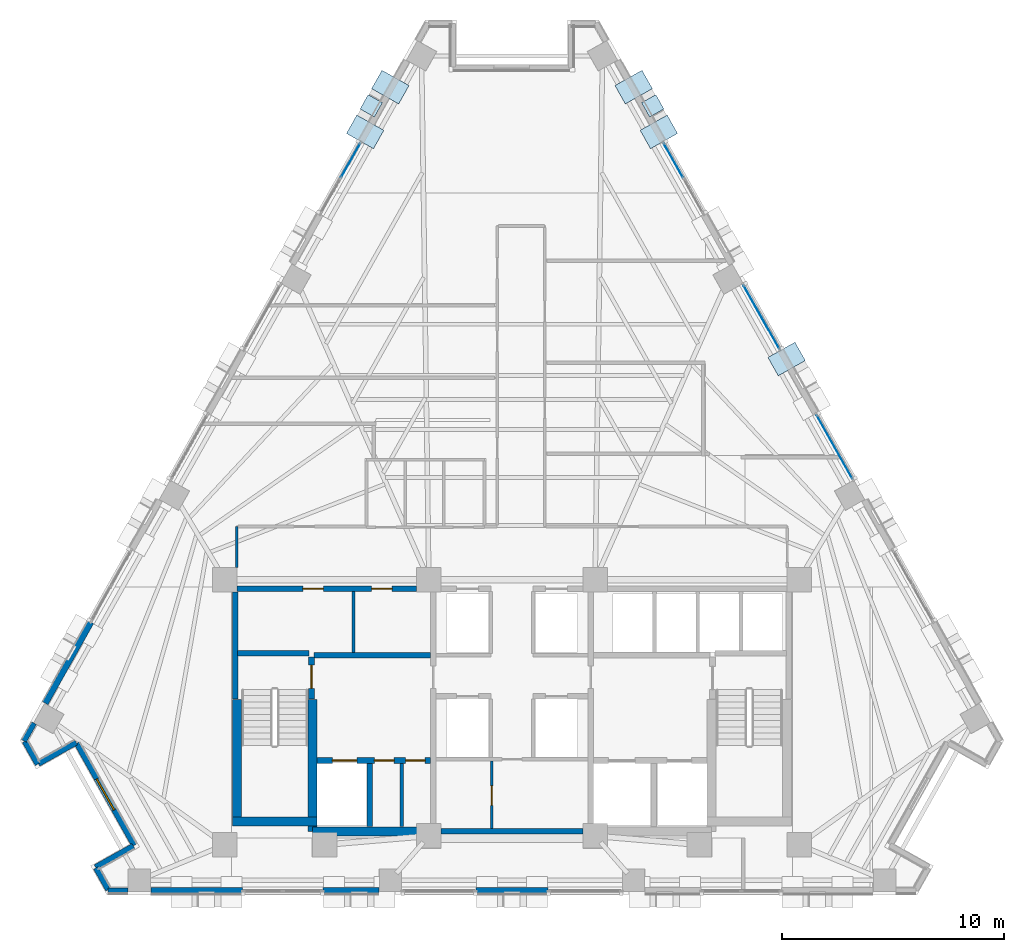
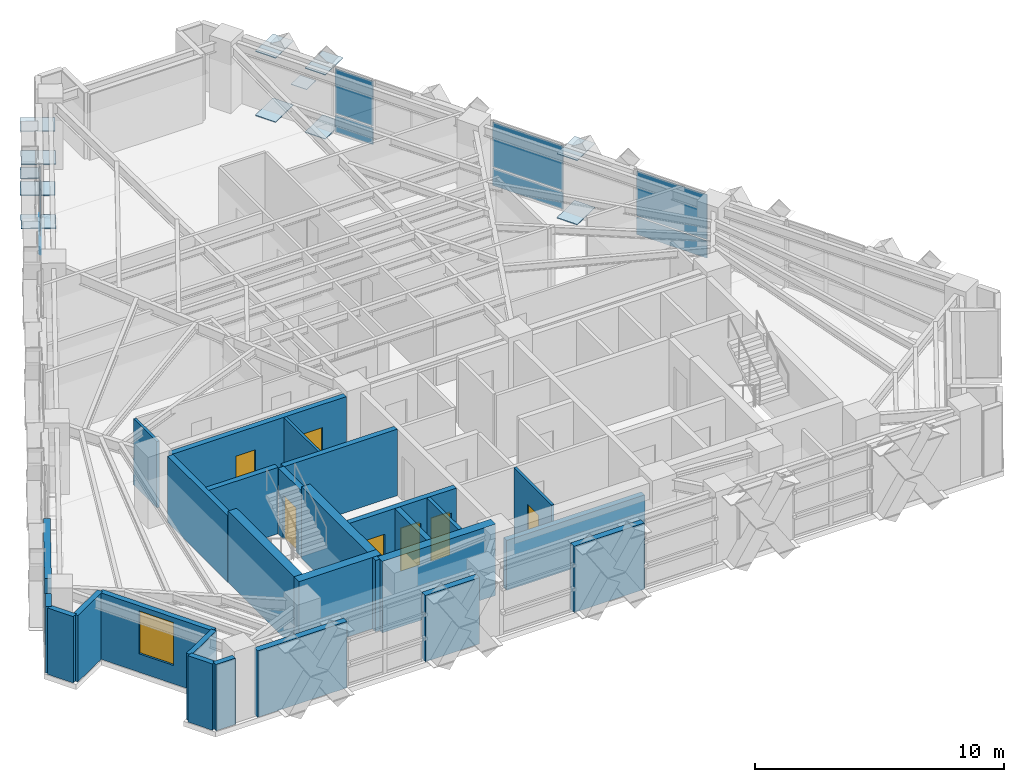
# One storey, part 7 of 14: 27 walls, 20 plates, 7 doors, 1 window, 8 openings, 4 elements without a shape of their own.
"""IFC4 building model written with IfcOpenShell, lengths in metres."""

from ifc_helpers import new_model, si_unit, direction, frame, frame_2d, origin, origin_2d, place, context, subcontext, project, spatial, rectangle, extrude, material, layer, layer_set, type_object, element, fill, aggregate, save


model = new_model("IFC4")

# Units and contexts
model_context = context("Model", 3, precision=1e-05, world=origin(), true_north=direction((0.0, 1.0)))
body_context = subcontext(model_context, "Body", "Model", "MODEL_VIEW")
ifc_project = project(units=[si_unit("LENGTHUNIT", "METRE"), si_unit("AREAUNIT", "SQUARE_METRE"), si_unit("VOLUMEUNIT", "CUBIC_METRE"), si_unit("PLANEANGLEUNIT", "RADIAN"), si_unit("MASSUNIT", "GRAM", prefix="KILO")], contexts=[model_context])

# Site, building, storey
site_placement = place(None, origin())
site = spatial("IfcSite", under=ifc_project, at=site_placement, CompositionType="ELEMENT")
building_placement = place(site_placement, origin())
building = spatial("IfcBuilding", under=site, at=building_placement, Name="Quenlor Broadcast Tower", CompositionType="ELEMENT")
storey_placement = place(building_placement, frame((0.0, 0.0, 133.5)))
storey = spatial("IfcBuildingStorey", under=building, at=storey_placement, Name="L36", CompositionType="ELEMENT", Elevation=133.5)

# Curtain wall, plates
ifc_material_1 = material(Name="Architectural Terracotta and Low-E Glazing", Category="masonry")
curtain_wall_type = type_object("IfcCurtainWallType", Name="Unitised Terracotta Curtain Wall System Z3", PredefinedType="NOTDEFINED", material=ifc_material_1)
curtain_wall_1_placement = place(storey_placement, origin())
curtain_wall_1 = element("IfcCurtainWall", 1, at=curtain_wall_1_placement, inside=storey, type_object=curtain_wall_type, Name="L36 Curtain Wall CW3 (L36-NEA-G1)", PredefinedType="NOTDEFINED")
ifc_material_2 = material(Name="Double Glazed Low-E Solar Glass", Category="glass")
ifc_layer_1 = layer(ifc_material_2, 0.028076171875)
ifc_layer_set_1 = layer_set([ifc_layer_1], Name="CW3 Double Glazed Vision Panel 28")
plate_type_1 = type_object("IfcPlateType", Name="CW3 Double Glazed Vision Panel 28", PredefinedType="CURTAIN_PANEL", material=ifc_layer_set_1)
plate_1_placement = place(storey_placement, frame((7.2763671875, 14.107421875, 0.06982421875), z_axis=(0.0, 0.0, 1.0), x_axis=(0.490270139949, -0.871570530637, 0.0)))
plate_1 = element("IfcPlate", 2, at=plate_1_placement, type_object=plate_type_1, Name="CW3 panel 1.1", PredefinedType="CURTAIN_PANEL", context=body_context, shape_type="SweptSolid", body=[
    extrude(rectangle(XDim=1.761962890625, YDim=0.028076171875, at=origin_2d()), origin(), (0.0, 0.0, 1.0), 0.844970703125),
])
plate_2_placement = place(storey_placement, frame((7.2763671875, 14.107421875, 0.98486328125), z_axis=(0.0, 0.0, 1.0), x_axis=(0.490270139949, -0.871570530637, 0.0)))
plate_2 = element("IfcPlate", 3, at=plate_2_placement, type_object=plate_type_1, Name="CW3 panel 1.2", PredefinedType="CURTAIN_PANEL", context=body_context, shape_type="SweptSolid", body=[
    extrude(rectangle(XDim=1.761962890625, YDim=0.028076171875, at=origin_2d()), origin(), (0.0, 0.0, 1.0), 2.195068359375),
])
aggregate(curtain_wall_1, [plate_1, plate_2])

curtain_wall_2_placement = place(storey_placement, origin())
curtain_wall_2 = element("IfcCurtainWall", 4, at=curtain_wall_2_placement, inside=storey, type_object=curtain_wall_type, Name="L36 Curtain Wall CW3 (L36-NE-G1)", PredefinedType="NOTDEFINED")
plate_3_placement = place(storey_placement, frame((11.250244140625, 7.04248046875, 0.06982421875), z_axis=(0.0, 0.0, 1.0), x_axis=(0.490255687418, -0.871578660222, 0.0)))
plate_3 = element("IfcPlate", 5, at=plate_3_placement, type_object=plate_type_1, Name="CW3 panel 1.1", PredefinedType="CURTAIN_PANEL", context=body_context, shape_type="SweptSolid", body=[
    extrude(rectangle(XDim=3.280517578125, YDim=0.028076171875, at=origin_2d()), origin(), (0.0, 0.0, 1.0), 0.844970703125),
])
plate_4_placement = place(storey_placement, frame((11.250244140625, 7.04248046875, 0.98486328125), z_axis=(0.0, 0.0, 1.0), x_axis=(0.490255687418, -0.871578660222, 0.0)))
plate_4 = element("IfcPlate", 6, at=plate_4_placement, type_object=plate_type_1, Name="CW3 panel 1.2", PredefinedType="CURTAIN_PANEL", context=body_context, shape_type="SweptSolid", body=[
    extrude(rectangle(XDim=3.280517578125, YDim=0.028076171875, at=origin_2d()), origin(), (0.0, 0.0, 1.0), 2.195068359375),
])
aggregate(curtain_wall_2, [plate_3, plate_4])

curtain_wall_3_placement = place(storey_placement, origin())
curtain_wall_3 = element("IfcCurtainWall", 7, at=curtain_wall_3_placement, inside=storey, type_object=curtain_wall_type, Name="L36 Curtain Wall CW3 (L36-NE-G2)", PredefinedType="NOTDEFINED")
plate_5_placement = place(storey_placement, frame((14.544677734375, 1.18603515625, 0.06982421875), z_axis=(0.0, 0.0, 1.0), x_axis=(0.490268180048, -0.871571633105, 0.0)))
plate_5 = element("IfcPlate", 8, at=plate_5_placement, type_object=plate_type_1, Name="CW3 panel 1.1", PredefinedType="CURTAIN_PANEL", context=body_context, shape_type="SweptSolid", body=[
    extrude(rectangle(XDim=3.2802734375, YDim=0.028076171875, at=origin_2d()), origin(), (0.0, 0.0, 1.0), 0.844970703125),
])
plate_6_placement = place(storey_placement, frame((14.544677734375, 1.18603515625, 0.98486328125), z_axis=(0.0, 0.0, 1.0), x_axis=(0.490268180048, -0.871571633105, 0.0)))
plate_6 = element("IfcPlate", 9, at=plate_6_placement, type_object=plate_type_1, Name="CW3 panel 1.2", PredefinedType="CURTAIN_PANEL", context=body_context, shape_type="SweptSolid", body=[
    extrude(rectangle(XDim=3.2802734375, YDim=0.028076171875, at=origin_2d()), origin(), (0.0, 0.0, 1.0), 2.195068359375),
])
aggregate(curtain_wall_3, [plate_5, plate_6])

curtain_wall_4_placement = place(storey_placement, origin())
curtain_wall_4 = element("IfcCurtainWall", 10, at=curtain_wall_4_placement, inside=storey, type_object=curtain_wall_type, Name="L36 Curtain Wall CW3 (L36-NWC-G1)", PredefinedType="NOTDEFINED")
plate_7_placement = place(storey_placement, frame((-7.2763671875, 14.107421875, 0.06982421875), z_axis=(0.0, 0.0, 1.0), x_axis=(0.490270139949, 0.871570530637, 0.0)))
plate_7 = element("IfcPlate", 11, at=plate_7_placement, type_object=plate_type_1, Name="CW3 panel 2.1", PredefinedType="CURTAIN_PANEL", context=body_context, shape_type="SweptSolid", body=[
    extrude(rectangle(XDim=1.761962890625, YDim=0.028076171875, at=origin_2d()), origin(), (0.0, 0.0, 1.0), 0.844970703125),
])
plate_8_placement = place(storey_placement, frame((-7.2763671875, 14.107421875, 0.98486328125), z_axis=(0.0, 0.0, 1.0), x_axis=(0.490270139949, 0.871570530637, 0.0)))
plate_8 = element("IfcPlate", 12, at=plate_8_placement, type_object=plate_type_1, Name="CW3 panel 2.2", PredefinedType="CURTAIN_PANEL", context=body_context, shape_type="SweptSolid", body=[
    extrude(rectangle(XDim=1.761962890625, YDim=0.028076171875, at=origin_2d()), origin(), (0.0, 0.0, 1.0), 2.195068359375),
])
aggregate(curtain_wall_4, [plate_7, plate_8])

# Plates
ifc_material_3 = material(Name="Steel S355", Category="steel")
ifc_layer_2 = layer(ifc_material_3, 0.028076171875)
ifc_layer_set_2 = layer_set([ifc_layer_2], Name="Perimeter Lattice Node Steel S355 Cap Plate 740x740x28")
plate_type_2 = type_object("IfcPlateType", Name="Perimeter Lattice Node Steel S355 Cap Plate 740x740x28", PredefinedType="USERDEFINED", material=ifc_layer_set_2)
for number, where, z_axis, x_axis, name in (
    (13, (6.345703125, 16.567626953125, 1.61572265625), (0.0, 0.0, 1.0), (0.490295412055, -0.871556314255, 0.0), "L36 Diamond Lattice Crossing Node NE-C1"),
    (14, (-6.345703125, 16.567626953125, 1.61572265625), (0.0, 0.0, 1.0), (0.490295412055, 0.871556314255, 0.0), "L36 Diamond Lattice Crossing Node NW-C5"),
):
    element("IfcPlate", number, at=place(storey_placement, frame(where, z_axis=z_axis, x_axis=x_axis)), inside=storey, type_object=plate_type_2, Name=name, ObjectType="CAP PLATE", PredefinedType="USERDEFINED", context=body_context, shape_type="SweptSolid", body=[
        extrude(rectangle(XDim=0.739990234375, YDim=0.739990234375, at=origin_2d()), origin(), (0.0, 0.0, 1.0), 0.028076171875),
    ])
ifc_material_4 = material(Name="Steel S355", Category="steel")
ifc_layer_3 = layer(ifc_material_4, 0.035888671875)
ifc_layer_set_3 = layer_set([ifc_layer_3], Name="Transfer Truss Steel S355 Gusset Node Plate 1400x950x36")
plate_type_3 = type_object("IfcPlateType", Name="Transfer Truss Steel S355 Gusset Node Plate 1400x950x36", PredefinedType="SHEET", material=ifc_layer_set_3)
for number, where, z_axis, x_axis, name in (
    (15, (5.48583984375, 17.412841796875, 0.0419921875), (0.0, 0.0, 1.0), (0.871556314255, 0.490295412055, 0.0), "L36 Lattice Tie Gusset Node NE-B1"),
    (16, (6.621337890625, 15.39404296875, 3.18212890625), (0.0, 0.0, 1.0), (0.871556314255, 0.490295412055, 0.0), "L36 Lattice Tie Gusset Node NE-T2"),
    (17, (6.621337890625, 15.39404296875, 0.0419921875), (0.0, 0.0, 1.0), (0.871556314255, 0.490295412055, 0.0), "L36 Lattice Tie Gusset Node NE-B2"),
    (18, (5.48583984375, 17.412841796875, 3.18212890625), (0.0, 0.0, 1.0), (0.871556314255, 0.490295412055, 0.0), "L36 Lattice Tie Gusset Node NE-T1"),
    (19, (12.382080078125, 5.153076171875, 0.0419921875), (0.0, 0.0, 1.0), (0.871556314255, 0.490295412055, 0.0), "L36 Lattice Tie Gusset Node NE-B7"),
    (20, (12.382080078125, 5.153076171875, 3.18212890625), (0.0, 0.0, 1.0), (0.871556314255, 0.490295412055, 0.0), "L36 Lattice Tie Gusset Node NE-T7"),
    (21, (-6.621337890625, 15.39404296875, 0.0419921875), (0.0, 0.0, 1.0), (-0.871556314255, 0.490295412055, 0.0), "L36 Lattice Tie Gusset Node NW-B13"),
    (22, (-5.48583984375, 17.412841796875, 3.18212890625), (0.0, 0.0, 1.0), (-0.871556314255, 0.490295412055, 0.0), "L36 Lattice Tie Gusset Node NW-T14"),
    (23, (-5.48583984375, 17.412841796875, 0.0419921875), (0.0, 0.0, 1.0), (-0.871556314255, 0.490295412055, 0.0), "L36 Lattice Tie Gusset Node NW-B14"),
    (24, (-6.621337890625, 15.39404296875, 3.18212890625), (0.0, 0.0, 1.0), (-0.871556314255, 0.490295412055, 0.0), "L36 Lattice Tie Gusset Node NW-T13"),
):
    element("IfcPlate", number, at=place(storey_placement, frame(where, z_axis=z_axis, x_axis=x_axis)), inside=storey, type_object=plate_type_3, Name=name, PredefinedType="SHEET", context=body_context, shape_type="SweptSolid", body=[
        extrude(rectangle(XDim=1.39990234375, YDim=0.949951171875, at=origin_2d()), origin(), (0.0, 0.0, 1.0), 0.035888671875),
    ])

# Walls
ifc_material_5 = material(Name="Concrete C50/60", Category="concrete")
ifc_layer_4 = layer(ifc_material_5, 0.39990234375)
ifc_layer_set_4 = layer_set([ifc_layer_4], Name="Core Concrete C50/60 Shear Wall 400")
wall_type_1 = type_object("IfcWallType", Name="Core Concrete C50/60 Shear Wall 400", PredefinedType="SHEAR", material=ifc_layer_set_4)
wall_1_placement = place(storey_placement, frame((-12.60009765625, -15.699951171875, 0.0), z_axis=(0.0, 0.0, 1.0), x_axis=(1.0, 0.0, 0.0)))
element("IfcWall", 25, at=wall_1_placement, inside=storey, type_object=wall_type_1, Name="L36 Core Shear Wall WS-W1", PredefinedType="SHEAR", context=body_context, shape_type="SweptSolid", body=[
    extrude(rectangle(XDim=3.800048828125, YDim=0.39990234375, at=frame_2d((1.89990234375, 0.0))), origin(), (0.0, 0.0, 1.0), 3.5),
])
wall_2_placement = place(storey_placement, frame((-9.0, -16.14990234375, 0.0), z_axis=(0.0, 0.0, 1.0), x_axis=(1.0, 0.0, 0.0)))
element("IfcWall", 26, at=wall_2_placement, inside=storey, type_object=wall_type_1, Name="L36 Core Shear Wall WS-W2", PredefinedType="SHEAR", context=body_context, shape_type="SweptSolid", body=[
    extrude(rectangle(XDim=5.25, YDim=0.39990234375, at=frame_2d((2.625, 0.0))), origin(), (0.0, 0.0, 1.0), 3.5),
])
wall_3_placement = place(storey_placement, frame((-12.39990234375, -15.699951171875, 0.0), z_axis=(0.0, 0.0, 1.0), x_axis=(0.0, 1.0, 0.0)))
element("IfcWall", 27, at=wall_3_placement, inside=storey, type_object=wall_type_1, Name="L36 Core Shear Wall WF-W", PredefinedType="SHEAR", context=body_context, shape_type="SweptSolid", body=[
    extrude(rectangle(XDim=5.5, YDim=0.39990234375, at=frame_2d((2.75, 0.0))), origin(), (0.0, 0.0, 1.0), 3.5),
])
wall_4_placement = place(storey_placement, frame((-9.0, -16.14990234375, 0.0), z_axis=(0.0, 0.0, 1.0), x_axis=(0.0, 1.0, 0.0)))
element("IfcWall", 28, at=wall_4_placement, inside=storey, type_object=wall_type_1, Name="L36 Core Shear Wall WI-W", PredefinedType="SHEAR", context=body_context, shape_type="SweptSolid", body=[
    extrude(rectangle(XDim=5.949951171875, YDim=0.39990234375, at=frame_2d((2.97509765625, 0.0))), origin(), (0.0, 0.0, 1.0), 3.5),
])

# Wall, opening, door
ifc_material_6 = material(Name="Concrete C40/50", Category="concrete")
ifc_layer_5 = layer(ifc_material_6, 0.25)
ifc_layer_set_5 = layer_set([ifc_layer_5], Name="Fire Rated Concrete C40/50 Core Wall 250")
wall_type_2 = type_object("IfcWallType", Name="Fire Rated Concrete C40/50 Core Wall 250", PredefinedType="PARTITIONING", material=ifc_layer_set_5)
wall_5_placement = place(storey_placement, frame((-9.0400390625, -10.179931640625, 0.0), z_axis=(0.0, 0.0, 1.0), x_axis=(0.0, 1.0, 0.0)))
wall_5 = element("IfcWall", 29, at=wall_5_placement, inside=storey, type_object=wall_type_2, Name="L36 Interior Wall CW-ST1-DR", PredefinedType="PARTITIONING", context=body_context, shape_type="SweptSolid", body=[
    extrude(rectangle(XDim=1.89990234375, YDim=0.25, at=frame_2d((0.949951171875, 0.0))), origin(), (0.0, 0.0, 1.0), 3.25),
])
opening_1_placement = place(wall_5_placement, frame((0.47998046875, 0.0, 0.0)))
opening_1 = element("IfcOpeningElement", 30, at=opening_1_placement, cuts=wall_5, Name="Opening FD-1", PredefinedType="OPENING", context=body_context, shape_type="SweptSolid", body=[
    extrude(rectangle(XDim=1.050048828125, YDim=2.14990234375, at=frame_2d((0.52490234375, 1.074951171875))), frame((0.0, 0.135009765625, 0.0), z_axis=(0.0, -1.0, 0.0), x_axis=(1.0, 0.0, 0.0)), (0.0, 0.0, 1.0), 0.27001953125),
])
ifc_material_7 = material(Name="Fire Rated Steel Door Leaf", Category="steel")
door_type_1 = type_object("IfcDoorType", Name="Fire Isolated Stair Door 1050x2150", OperationType="NOTDEFINED", PredefinedType="DOOR", material=ifc_material_7)
door_1_placement = place(opening_1_placement, origin())
door_1 = element("IfcDoor", 31, at=door_1_placement, inside=storey, type_object=door_type_1, Name="L36 Door DR-ST1", OperationType="SINGLE_SWING_LEFT", OverallHeight=2.14990234375, OverallWidth=1.050048828125, PredefinedType="DOOR", context=body_context, shape_type="SweptSolid", body=[
    extrude(rectangle(XDim=1.050048828125, YDim=2.14990234375, at=frame_2d((0.52490234375, 1.074951171875))), frame((0.0, 0.02490234375, 0.0), z_axis=(0.0, -1.0, 0.0), x_axis=(1.0, 0.0, 0.0)), (0.0, 0.0, 1.0), 0.050048828125),
])
fill(opening_1, door_1)

# Walls
wall_6_placement = place(storey_placement, frame((-12.3798828125, -8.1201171875, 0.0), z_axis=(0.0, 0.0, 1.0), x_axis=(1.0, 0.0, 0.0)))
element("IfcWall", 32, at=wall_6_placement, inside=storey, type_object=wall_type_2, Name="L36 Interior Wall CW-ST1-N", PredefinedType="PARTITIONING", context=body_context, shape_type="SweptSolid", body=[
    extrude(rectangle(XDim=3.219970703125, YDim=0.25, at=frame_2d((1.60986328125, 0.0))), origin(), (0.0, 0.0, 1.0), 3.25),
])
wall_7_placement = place(storey_placement, frame((-12.47998046875, -10.179931640625, 0.0), z_axis=(0.0, 0.0, 1.0), x_axis=(0.0, 1.0, 0.0)))
element("IfcWall", 33, at=wall_7_placement, inside=storey, type_object=wall_type_2, Name="L36 Interior Wall CW-ST1-W2", PredefinedType="PARTITIONING", context=body_context, shape_type="SweptSolid", body=[
    extrude(rectangle(XDim=4.827880859375, YDim=0.25, at=frame_2d((2.4140625, 0.0))), origin(), (0.0, 0.0, 1.0), 3.25),
])

# Wall, openings, doors
wall_8_placement = place(storey_placement, frame((-8.798095703125, -12.949951171875, 0.0), z_axis=(0.0, 0.0, 1.0), x_axis=(1.0, 0.0, 0.0)))
wall_8 = element("IfcWall", 34, at=wall_8_placement, inside=storey, type_object=wall_type_2, Name="L36 Interior Wall CW-FFW-S", PredefinedType="PARTITIONING", context=body_context, shape_type="SweptSolid", body=[
    extrude(rectangle(XDim=5.1181640625, YDim=0.25, at=frame_2d((2.55908203125, 0.0))), origin(), (0.0, 0.0, 1.0), 3.25),
])
opening_2_placement = place(wall_8_placement, frame((0.697998046875, 0.0, 0.0)))
opening_2 = element("IfcOpeningElement", 35, at=opening_2_placement, cuts=wall_8, Name="Opening LD-FFL-1", PredefinedType="OPENING", context=body_context, shape_type="SweptSolid", body=[
    extrude(rectangle(XDim=1.10009765625, YDim=2.14990234375, at=frame_2d((0.550048828125, 1.074951171875))), frame((0.0, 0.135009765625, 0.0), z_axis=(0.0, -1.0, 0.0), x_axis=(1.0, 0.0, 0.0)), (0.0, 0.0, 1.0), 0.27001953125),
])
opening_3_placement = place(wall_8_placement, frame((2.597900390625, 0.0, 0.0)))
opening_3 = element("IfcOpeningElement", 36, at=opening_3_placement, cuts=wall_8, Name="Opening TD-1", PredefinedType="OPENING", context=body_context, shape_type="SweptSolid", body=[
    extrude(rectangle(XDim=0.8798828125, YDim=2.10009765625, at=frame_2d((0.43994140625, 1.050048828125))), frame((0.0, 0.135009765625, 0.0), z_axis=(0.0, -1.0, 0.0), x_axis=(1.0, 0.0, 0.0)), (0.0, 0.0, 1.0), 0.27001953125),
])
opening_4_placement = place(wall_8_placement, frame((3.998046875, 0.0, 0.0)))
opening_4 = element("IfcOpeningElement", 37, at=opening_4_placement, cuts=wall_8, Name="Opening TD-1", PredefinedType="OPENING", context=body_context, shape_type="SweptSolid", body=[
    extrude(rectangle(XDim=0.8798828125, YDim=2.10009765625, at=frame_2d((0.43994140625, 1.050048828125))), frame((0.0, 0.135009765625, 0.0), z_axis=(0.0, -1.0, 0.0), x_axis=(1.0, 0.0, 0.0)), (0.0, 0.0, 1.0), 0.27001953125),
])
ifc_material_8 = material(Name="Brushed Stainless Steel", Category="steel")
door_type_2 = type_object("IfcDoorType", Name="Emergency Lift Sliding Landing Door 1100x2150", OperationType="NOTDEFINED", PredefinedType="DOOR", material=ifc_material_8)
door_2_placement = place(opening_2_placement, origin())
door_2 = element("IfcDoor", 38, at=door_2_placement, inside=storey, type_object=door_type_2, Name="L36 Door LD-FFL-1", OperationType="SLIDING_TO_LEFT", OverallHeight=2.14990234375, OverallWidth=1.10009765625, PredefinedType="DOOR", context=body_context, shape_type="SweptSolid", body=[
    extrude(rectangle(XDim=1.10009765625, YDim=2.14990234375, at=frame_2d((0.550048828125, 1.074951171875))), frame((0.0, 0.02490234375, 0.0), z_axis=(0.0, -1.0, 0.0), x_axis=(1.0, 0.0, 0.0)), (0.0, 0.0, 1.0), 0.050048828125),
])
fill(opening_2, door_2)
ifc_material_9 = material(Name="Fire Rated Steel Access Panel", Category="steel")
door_type_3 = type_object("IfcDoorType", Name="Riser Shaft Rated Access Trapdoor 880x2100", OperationType="NOTDEFINED", PredefinedType="TRAPDOOR", material=ifc_material_9)
door_3_placement = place(opening_3_placement, origin())
door_3 = element("IfcDoor", 39, at=door_3_placement, inside=storey, type_object=door_type_3, Name="L36 Door DR-ELR", OperationType="SINGLE_SWING_LEFT", OverallHeight=2.10009765625, OverallWidth=0.8798828125, PredefinedType="TRAPDOOR", context=body_context, shape_type="SweptSolid", body=[
    extrude(rectangle(XDim=0.8798828125, YDim=2.10009765625, at=frame_2d((0.43994140625, 1.050048828125))), frame((0.0, 0.02490234375, 0.0), z_axis=(0.0, -1.0, 0.0), x_axis=(1.0, 0.0, 0.0)), (0.0, 0.0, 1.0), 0.050048828125),
])
fill(opening_3, door_3)
door_4_placement = place(opening_4_placement, origin())
door_4 = element("IfcDoor", 40, at=door_4_placement, inside=storey, type_object=door_type_3, Name="L36 Door DR-CMR", OperationType="SINGLE_SWING_RIGHT", OverallHeight=2.10009765625, OverallWidth=0.8798828125, PredefinedType="TRAPDOOR", context=body_context, shape_type="SweptSolid", body=[
    extrude(rectangle(XDim=0.8798828125, YDim=2.10009765625, at=frame_2d((0.43994140625, 1.050048828125))), frame((0.0, 0.02490234375, 0.0), z_axis=(0.0, -1.0, 0.0), x_axis=(1.0, 0.0, 0.0)), (0.0, 0.0, 1.0), 0.050048828125),
])
fill(opening_4, door_4)

# Walls
wall_9_placement = place(storey_placement, frame((-6.419921875, -15.919921875, 0.0), z_axis=(0.0, 0.0, 1.0), x_axis=(0.0, 1.0, 0.0)))
element("IfcWall", 41, at=wall_9_placement, inside=storey, type_object=wall_type_2, Name="L36 Interior Wall CW-FF1-E", PredefinedType="PARTITIONING", context=body_context, shape_type="SweptSolid", body=[
    extrude(rectangle(XDim=2.829833984375, YDim=0.25, at=frame_2d((1.4150390625, 0.0))), origin(), (0.0, 0.0, 1.0), 3.25),
])
wall_10_placement = place(storey_placement, frame((-8.919921875, -8.199951171875, 0.0), z_axis=(0.0, 0.0, 1.0), x_axis=(1.0, 0.0, 0.0)))
element("IfcWall", 42, at=wall_10_placement, inside=storey, type_object=wall_type_2, Name="L36 Interior Wall CW-FFW-N", PredefinedType="PARTITIONING", context=body_context, shape_type="SweptSolid", body=[
    extrude(rectangle(XDim=5.239990234375, YDim=0.25, at=frame_2d((2.6201171875, 0.0))), origin(), (0.0, 0.0, 1.0), 3.25),
])

# Wall, openings, doors
wall_11_placement = place(storey_placement, frame((-12.39794921875, -5.199951171875, 0.0), z_axis=(0.0, 0.0, 1.0), x_axis=(1.0, 0.0, 0.0)))
wall_11 = element("IfcWall", 43, at=wall_11_placement, inside=storey, type_object=wall_type_2, Name="L36 Interior Wall CW-N-W", PredefinedType="PARTITIONING", context=body_context, shape_type="SweptSolid", body=[
    extrude(rectangle(XDim=8.095947265625, YDim=0.25, at=frame_2d((4.0478515625, 0.0))), origin(), (0.0, 0.0, 1.0), 3.25),
])
opening_5_placement = place(wall_11_placement, frame((2.968017578125, 0.0, 0.0)))
opening_5 = element("IfcOpeningElement", 44, at=opening_5_placement, cuts=wall_11, Name="Opening ID-1", PredefinedType="OPENING", context=body_context, shape_type="SweptSolid", body=[
    extrude(rectangle(XDim=0.919921875, YDim=2.1201171875, at=frame_2d((0.4599609375, 1.06005859375))), frame((0.0, 0.135009765625, 0.0), z_axis=(0.0, -1.0, 0.0), x_axis=(1.0, 0.0, 0.0)), (0.0, 0.0, 1.0), 0.27001953125),
])
opening_6_placement = place(wall_11_placement, frame((6.068115234375, 0.0, 0.0)))
opening_6 = element("IfcOpeningElement", 45, at=opening_6_placement, cuts=wall_11, Name="Opening ID-1", PredefinedType="OPENING", context=body_context, shape_type="SweptSolid", body=[
    extrude(rectangle(XDim=0.919921875, YDim=2.1201171875, at=frame_2d((0.4599609375, 1.06005859375))), frame((0.0, 0.135009765625, 0.0), z_axis=(0.0, -1.0, 0.0), x_axis=(1.0, 0.0, 0.0)), (0.0, 0.0, 1.0), 0.27001953125),
])
ifc_material_10 = material(Name="Solid Core Timber Oak", Category="wood")
door_type_4 = type_object("IfcDoorType", Name="Single Leaf Timber Office Door 920x2120", OperationType="NOTDEFINED", PredefinedType="DOOR", material=ifc_material_10)
door_5_placement = place(opening_5_placement, origin())
door_5 = element("IfcDoor", 46, at=door_5_placement, inside=storey, type_object=door_type_4, Name="L36 Door DR-RCL1", OperationType="SINGLE_SWING_LEFT", OverallHeight=2.1201171875, OverallWidth=0.919921875, PredefinedType="DOOR", context=body_context, shape_type="SweptSolid", body=[
    extrude(rectangle(XDim=0.919921875, YDim=2.1201171875, at=frame_2d((0.4599609375, 1.06005859375))), frame((0.0, 0.02490234375, 0.0), z_axis=(0.0, -1.0, 0.0), x_axis=(1.0, 0.0, 0.0)), (0.0, 0.0, 1.0), 0.050048828125),
])
fill(opening_5, door_5)
door_6_placement = place(opening_6_placement, origin())
door_6 = element("IfcDoor", 47, at=door_6_placement, inside=storey, type_object=door_type_4, Name="L36 Door DR-RCL2", OperationType="SINGLE_SWING_RIGHT", OverallHeight=2.1201171875, OverallWidth=0.919921875, PredefinedType="DOOR", context=body_context, shape_type="SweptSolid", body=[
    extrude(rectangle(XDim=0.919921875, YDim=2.1201171875, at=frame_2d((0.4599609375, 1.06005859375))), frame((0.0, 0.02490234375, 0.0), z_axis=(0.0, -1.0, 0.0), x_axis=(1.0, 0.0, 0.0)), (0.0, 0.0, 1.0), 0.050048828125),
])
fill(opening_6, door_6)

# Walls
wall_12_placement = place(storey_placement, frame((-3.197998046875, -16.14990234375, 0.0), z_axis=(0.0, 0.0, 1.0), x_axis=(1.0, 0.0, 0.0)))
element("IfcWall", 48, at=wall_12_placement, inside=storey, type_object=wall_type_2, Name="L36 Interior Wall CW-MS-S", PredefinedType="PARTITIONING", context=body_context, shape_type="SweptSolid", body=[
    extrude(rectangle(XDim=6.39599609375, YDim=0.25, at=frame_2d((3.197998046875, 0.0))), origin(), (0.0, 0.0, 1.0), 2.449951171875),
])
ifc_material_11 = material(Name="Gypsum Fireboard Partition", Category="other")
ifc_layer_6 = layer(ifc_material_11, 0.159912109375)
ifc_layer_set_6 = layer_set([ifc_layer_6], Name="Fire Rated Shaft and Corridor Partition 160")
wall_type_3 = type_object("IfcWallType", Name="Fire Rated Shaft and Corridor Partition 160", PredefinedType="PARTITIONING", material=ifc_layer_set_6)
wall_13_placement = place(storey_placement, frame((-4.97998046875, -15.919921875, 0.0), z_axis=(0.0, 0.0, 1.0), x_axis=(0.0, 1.0, 0.0)))
element("IfcWall", 49, at=wall_13_placement, inside=storey, type_object=wall_type_3, Name="L36 Interior Wall CW-ELR-E", PredefinedType="PARTITIONING", context=body_context, shape_type="SweptSolid", body=[
    extrude(rectangle(XDim=2.829833984375, YDim=0.159912109375, at=frame_2d((1.4150390625, 0.0))), origin(), (0.0, 0.0, 1.0), 3.25),
])
ifc_material_12 = material(Name="Gypsum Plasterboard Partition", Category="other")
ifc_layer_7 = layer(ifc_material_12, 0.1201171875)
ifc_layer_set_7 = layer_set([ifc_layer_7], Name="Standard Office Partition 120")
wall_type_4 = type_object("IfcWallType", Name="Standard Office Partition 120", PredefinedType="PARTITIONING", material=ifc_layer_set_7)
wall_14_placement = place(storey_placement, frame((-7.14990234375, -8.072998046875, 0.0), z_axis=(0.0, 0.0, 1.0), x_axis=(0.0, 1.0, 0.0)))
element("IfcWall", 50, at=wall_14_placement, inside=storey, type_object=wall_type_4, Name="L36 Interior Wall CW-RCL-MID", PredefinedType="PARTITIONING", context=body_context, shape_type="SweptSolid", body=[
    extrude(rectangle(XDim=2.73291015625, YDim=0.1201171875, at=frame_2d((1.366455078125, 0.0))), origin(), (0.0, 0.0, 1.0), 3.25),
])

# Wall, opening, door
wall_15_placement = place(storey_placement, frame((-0.909912109375, -16.02001953125, 0.0), z_axis=(0.0, 0.0, 1.0), x_axis=(0.0, 1.0, 0.0)))
wall_15 = element("IfcWall", 51, at=wall_15_placement, inside=storey, type_object=wall_type_4, Name="L36 Interior Wall CW-CSV-W1", PredefinedType="PARTITIONING", context=body_context, shape_type="SweptSolid", body=[
    extrude(rectangle(XDim=3.0380859375, YDim=0.1201171875, at=frame_2d((1.51904296875, 0.0))), origin(), (0.0, 0.0, 1.0), 3.25),
])
opening_7_placement = place(wall_15_placement, frame((1.050048828125, 0.0, 0.0)))
opening_7 = element("IfcOpeningElement", 52, at=opening_7_placement, cuts=wall_15, Name="Opening ID-4", PredefinedType="OPENING", context=body_context, shape_type="SweptSolid", body=[
    extrude(rectangle(XDim=0.8798828125, YDim=2.1201171875, at=frame_2d((0.43994140625, 1.06005859375))), frame((0.0, 0.070068359375, 0.0), z_axis=(0.0, -1.0, 0.0), x_axis=(1.0, 0.0, 0.0)), (0.0, 0.0, 1.0), 0.14013671875),
])
ifc_material_13 = material(Name="Solid Core Timber Oak", Category="wood")
door_type_5 = type_object("IfcDoorType", Name="Service Closet Timber Door 880x2120", OperationType="NOTDEFINED", PredefinedType="DOOR", material=ifc_material_13)
door_7_placement = place(opening_7_placement, origin())
door_7 = element("IfcDoor", 53, at=door_7_placement, inside=storey, type_object=door_type_5, Name="L36 Door DR-CSV1", OperationType="SINGLE_SWING_LEFT", OverallHeight=2.1201171875, OverallWidth=0.8798828125, PredefinedType="DOOR", context=body_context, shape_type="SweptSolid", body=[
    extrude(rectangle(XDim=0.8798828125, YDim=2.1201171875, at=frame_2d((0.43994140625, 1.06005859375))), frame((0.0, 0.02490234375, 0.0), z_axis=(0.0, -1.0, 0.0), x_axis=(1.0, 0.0, 0.0)), (0.0, 0.0, 1.0), 0.050048828125),
])
fill(opening_7, door_7)

# Walls
wall_16_placement = place(storey_placement, frame((-12.409912109375, -4.248046875, 0.0), z_axis=(0.0, 0.0, 1.0), x_axis=(0.0, 1.0, 0.0)))
element("IfcWall", 54, at=wall_16_placement, inside=storey, type_object=wall_type_4, Name="L36 Interior Wall PW-CR-01", PredefinedType="PARTITIONING", context=body_context, shape_type="SweptSolid", body=[
    extrude(rectangle(XDim=1.84814453125, YDim=0.1201171875, at=frame_2d((0.924072265625, 0.0))), origin(), (0.0, 0.0, 1.0), 3.25),
])
ifc_material_14 = material(Name="Precast concrete C40/50", Category="concrete")
ifc_layer_8 = layer(ifc_material_14, 0.239990234375)
ifc_layer_set_8 = layer_set([ifc_layer_8], Name="Terrace Threshold Precast Concrete C40/50 Wall 240")
wall_type_5 = type_object("IfcWallType", Name="Terrace Threshold Precast Concrete C40/50 Wall 240", PredefinedType="STANDARD", material=ifc_layer_set_8)
wall_17_placement = place(storey_placement, frame((-17.3134765625, -18.824951171875, 0.0), z_axis=(0.0, 0.0, 1.0), x_axis=(-1.0, 0.0, 0.0)))
element("IfcWall", 55, at=wall_17_placement, inside=storey, type_object=wall_type_5, Name="L36 Exterior Wall L36-SHD-SS1", PredefinedType="STANDARD", context=body_context, shape_type="SweptSolid", body=[
    extrude(rectangle(XDim=0.896484375, YDim=0.239990234375, at=frame_2d((0.4482421875, 0.0))), origin(), (0.0, 0.0, 1.0), 3.25),
])
wall_18_placement = place(storey_placement, frame((-22.003173828125, -12.073486328125, 0.0), z_axis=(0.0, 0.0, 1.0), x_axis=(0.490248718924, 0.871582579905, 0.0)))
element("IfcWall", 56, at=wall_18_placement, inside=storey, type_object=wall_type_5, Name="L36 Exterior Wall L36-SHD-NWS0", PredefinedType="STANDARD", context=body_context, shape_type="SweptSolid", body=[
    extrude(rectangle(XDim=0.92578125, YDim=0.239990234375, at=frame_2d((0.462890625, 0.0))), origin(), (0.0, 0.0, 1.0), 3.25),
])
wall_19_placement = place(storey_placement, frame((-21.976806640625, -12.08349609375, 0.0), z_axis=(0.0, 0.0, 1.0), x_axis=(0.490154352582, -0.871635652463, 0.0)))
element("IfcWall", 57, at=wall_19_placement, inside=storey, type_object=wall_type_5, Name="L36 Exterior Wall L36-CNR-12", PredefinedType="STANDARD", context=body_context, shape_type="SweptSolid", body=[
    extrude(rectangle(XDim=1.19287109375, YDim=0.239990234375, at=frame_2d((0.596435546875, 0.0))), origin(), (0.0, 0.0, 1.0), 3.25),
])
wall_20_placement = place(storey_placement, frame((-21.357421875, -13.103515625, 0.0), z_axis=(0.0, 0.0, 1.0), x_axis=(0.871595493845, 0.490225759328, 0.0)))
element("IfcWall", 58, at=wall_20_placement, inside=storey, type_object=wall_type_5, Name="L36 Exterior Wall L36-CNR-13", PredefinedType="STANDARD", context=body_context, shape_type="SweptSolid", body=[
    extrude(rectangle(XDim=1.960205078125, YDim=0.239990234375, at=frame_2d((0.97998046875, 0.0))), origin(), (0.0, 0.0, 1.0), 3.25),
])

# Wall, opening, window
wall_21_placement = place(storey_placement, frame((-19.62939453125, -12.177490234375, 0.0), z_axis=(0.0, 0.0, 1.0), x_axis=(0.490276606961, -0.871566892824, 0.0)))
wall_21 = element("IfcWall", 59, at=wall_21_placement, inside=storey, type_object=wall_type_5, Name="L36 Exterior Wall L36-CNR-14", PredefinedType="STANDARD", context=body_context, shape_type="SweptSolid", body=[
    extrude(rectangle(XDim=5.280029296875, YDim=0.239990234375, at=frame_2d((2.64013671875, 0.0))), origin(), (0.0, 0.0, 1.0), 3.25),
])
opening_8_placement = place(wall_21_placement, frame((1.840087890625, 0.0, 0.89990234375)))
opening_8 = element("IfcOpeningElement", 60, at=opening_8_placement, cuts=wall_21, Name="Opening WN-2", PredefinedType="OPENING", context=body_context, shape_type="SweptSolid", body=[
    extrude(rectangle(XDim=1.60009765625, YDim=2.10009765625, at=frame_2d((0.800048828125, 1.050048828125))), frame((0.0, 0.1298828125, 0.0), z_axis=(0.0, -1.0, 0.0), x_axis=(1.0, 0.0, 0.0)), (0.0, 0.0, 1.0), 0.260009765625),
])
ifc_material_15 = material(Name="Thermally Broken Aluminium and Low-E Glass", Category="aluminium")
window_type = type_object("IfcWindowType", Name="Tower Studio Punched Window 1600x2100", PartitioningType="SINGLE_PANEL", PredefinedType="WINDOW", material=ifc_material_15)
window_placement = place(opening_8_placement, origin())
window = element("IfcWindow", 61, at=window_placement, inside=storey, type_object=window_type, Name="L36 Corner Chamfer Window 14", OverallHeight=2.10009765625, OverallWidth=1.60009765625, PartitioningType="SINGLE_PANEL", PredefinedType="WINDOW", context=body_context, shape_type="SweptSolid", body=[
    extrude(rectangle(XDim=1.60009765625, YDim=2.10009765625, at=frame_2d((0.800048828125, 1.050048828125))), frame((0.0, 0.030029296875, 0.0), z_axis=(0.0, -1.0, 0.0), x_axis=(1.0, 0.0, 0.0)), (0.0, 0.0, 1.0), 0.06005859375),
])
fill(opening_8, window)

# Walls
wall_22_placement = place(storey_placement, frame((-17.07568359375, -16.799072265625, 0.0), z_axis=(0.0, 0.0, 1.0), x_axis=(-0.871565557139, -0.490278981406, 0.0)))
element("IfcWall", 62, at=wall_22_placement, inside=storey, type_object=wall_type_5, Name="L36 Exterior Wall L36-CNR-15", PredefinedType="STANDARD", context=body_context, shape_type="SweptSolid", body=[
    extrude(rectangle(XDim=1.9599609375, YDim=0.239990234375, at=frame_2d((0.97998046875, 0.0))), origin(), (0.0, 0.0, 1.0), 3.25),
])
wall_23_placement = place(storey_placement, frame((-18.764404296875, -17.794921875, 0.0), z_axis=(0.0, 0.0, 1.0), x_axis=(0.490353621339, -0.871523565969, 0.0)))
element("IfcWall", 63, at=wall_23_placement, inside=storey, type_object=wall_type_5, Name="L36 Exterior Wall L36-CNR-16", PredefinedType="STANDARD", context=body_context, shape_type="SweptSolid", body=[
    extrude(rectangle(XDim=1.129150390625, YDim=0.239990234375, at=frame_2d((0.564453125, 0.0))), origin(), (0.0, 0.0, 1.0), 3.25),
])
ifc_material_16 = material(Name="Precast concrete C40/50", Category="concrete")
ifc_layer_9 = layer(ifc_material_16, 0.280029296875)
ifc_layer_set_9 = layer_set([ifc_layer_9], Name="Terracotta Precast Concrete C40/50 Facade Wall 280")
wall_type_6 = type_object("IfcWallType", Name="Terracotta Precast Concrete C40/50 Facade Wall 280", PredefinedType="STANDARD", material=ifc_layer_set_9)
wall_24_placement = place(storey_placement, frame((-6.006103515625, -18.824951171875, 0.0), z_axis=(0.0, 0.0, 1.0), x_axis=(-1.0, 0.0, 0.0)))
element("IfcWall", 64, at=wall_24_placement, inside=storey, type_object=wall_type_6, Name="L36 Exterior Wall L36-SC-SP1", PredefinedType="STANDARD", context=body_context, shape_type="SweptSolid", body=[
    extrude(rectangle(XDim=2.5087890625, YDim=0.280029296875, at=frame_2d((1.25439453125, 0.0))), origin(), (0.0, 0.0, 1.0), 3.25),
])
wall_25_placement = place(storey_placement, frame((-12.14892578125, -18.824951171875, 0.0), z_axis=(0.0, 0.0, 1.0), x_axis=(-1.0, 0.0, 0.0)))
element("IfcWall", 65, at=wall_25_placement, inside=storey, type_object=wall_type_6, Name="L36 Exterior Wall L36-SC-SP2", PredefinedType="STANDARD", context=body_context, shape_type="SweptSolid", body=[
    extrude(rectangle(XDim=4.134521484375, YDim=0.280029296875, at=frame_2d((2.0673828125, 0.0))), origin(), (0.0, 0.0, 1.0), 3.25),
])
wall_26_placement = place(storey_placement, frame((1.626953125, -18.824951171875, 0.0), z_axis=(0.0, 0.0, 1.0), x_axis=(-1.0, 0.0, 0.0)))
element("IfcWall", 66, at=wall_26_placement, inside=storey, type_object=wall_type_6, Name="L36 Exterior Wall L36-S-SP1", PredefinedType="STANDARD", context=body_context, shape_type="SweptSolid", body=[
    extrude(rectangle(XDim=3.25390625, YDim=0.280029296875, at=frame_2d((1.626953125, 0.0))), origin(), (0.0, 0.0, 1.0), 3.25),
])
wall_27_placement = place(storey_placement, frame((-21.044189453125, -10.368896484375, 0.0), z_axis=(0.0, 0.0, 1.0), x_axis=(0.490230882965, 0.871592612054, 0.0)))
element("IfcWall", 67, at=wall_27_placement, inside=storey, type_object=wall_type_6, Name="L36 Exterior Wall L36-NWA-SP1", PredefinedType="STANDARD", context=body_context, shape_type="SweptSolid", body=[
    extrude(rectangle(XDim=4.2001953125, YDim=0.280029296875, at=frame_2d((2.10009765625, 0.0))), origin(), (0.0, 0.0, 1.0), 3.25),
])

save(model, "model.ifc")
